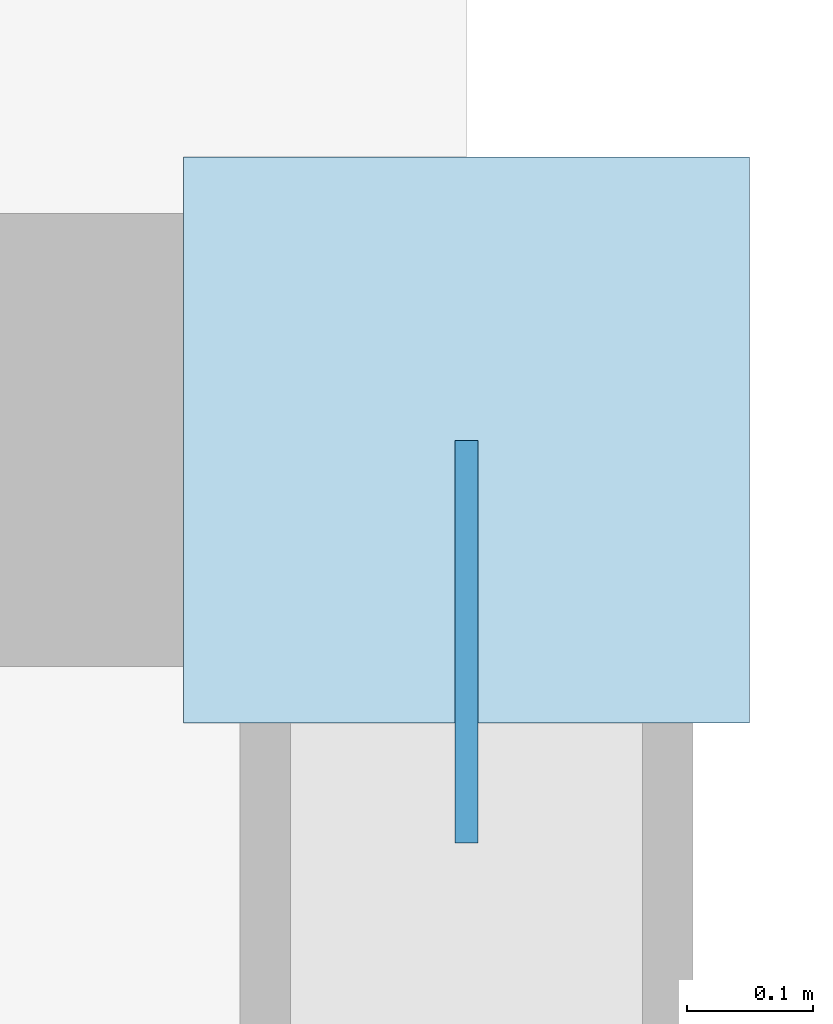
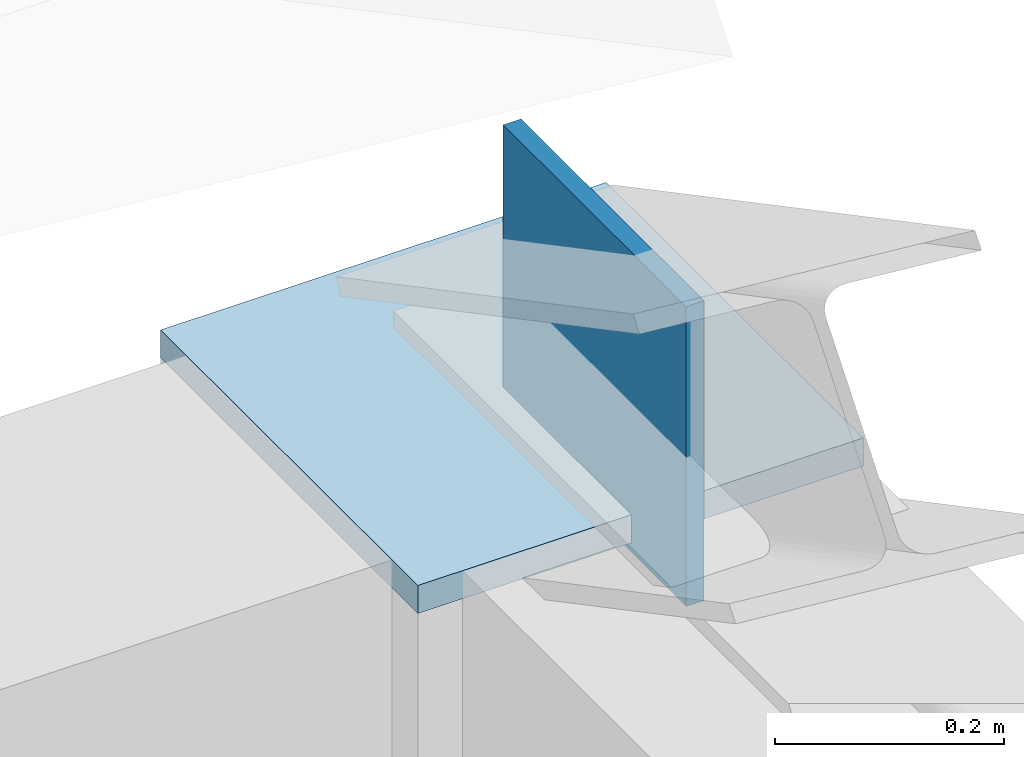
# One storey, part 41 of 56: 2 plates.
"""IFC4 building model written with IfcOpenShell, lengths in metres."""

from ifc_helpers import new_model, si_unit, direction, frame, origin, origin_2d, place, context, subcontext, project, spatial, rectangle, extrude, material, layer, layer_set, type_object, element, save


model = new_model("IFC4")

# Units and contexts
model_context = context("Model", 3, precision=1e-05, world=origin(), true_north=direction((0.0, 1.0)))
body_context = subcontext(model_context, "Body", "Model", "MODEL_VIEW")
ifc_project = project(units=[si_unit("LENGTHUNIT", "METRE"), si_unit("AREAUNIT", "SQUARE_METRE"), si_unit("VOLUMEUNIT", "CUBIC_METRE"), si_unit("PLANEANGLEUNIT", "RADIAN"), si_unit("MASSUNIT", "GRAM", prefix="KILO")], contexts=[model_context])

# Site, building, storey
site_placement = place(None, origin())
site = spatial("IfcSite", under=ifc_project, at=site_placement, CompositionType="ELEMENT")
building_placement = place(site_placement, origin())
building = spatial("IfcBuilding", under=site, at=building_placement, Name="Kveldsbrygga Polytechnic", CompositionType="ELEMENT")
storey_placement = place(building_placement, frame((0.0, 0.0, 18.02001953125)))
storey = spatial("IfcBuildingStorey", under=building, at=storey_placement, Name="L04", CompositionType="ELEMENT", Elevation=18.02001953125)

# Plates
ifc_material = material(Name="Steel S355", Category="steel")
ifc_layer_1 = layer(ifc_material, 0.030029296875)
ifc_layer_set_1 = layer_set([ifc_layer_1], Name="Steel S355")
plate_type_1 = type_object("IfcPlateType", Name="CAP-BEAR-450", PredefinedType="SHEET", material=ifc_layer_set_1)
plate_1_placement = place(storey_placement, frame((168.0, 117.60009765625, 3.75), z_axis=(0.0, 0.0, 1.0), x_axis=(1.0, 0.0, 0.0)))
element("IfcPlate", 1, at=plate_1_placement, inside=storey, type_object=plate_type_1, Name="Truss Bearing Plate V4N5-T06-B", PredefinedType="SHEET", context=body_context, shape_type="SweptSolid", body=[
    extrude(rectangle(XDim=0.449951171875, YDim=0.449951171875, at=origin_2d()), origin(), (0.0, 0.0, 1.0), 0.030029296875),
])
ifc_layer_2 = layer(ifc_material, 0.01806640625)
ifc_layer_set_2 = layer_set([ifc_layer_2], Name="Steel S355")
plate_type_2 = type_object("IfcPlateType", Name="GUS-BRACE-320", PredefinedType="SHEET", material=ifc_layer_set_2)
plate_2_placement = place(storey_placement, frame((168.0, 117.43994140625, 3.73974609375), z_axis=(0.0, 0.0, 1.0), x_axis=(1.0, 0.0, 0.0)))
element("IfcPlate", 2, at=plate_2_placement, inside=storey, type_object=plate_type_2, Name="Truss Eaves Node Gusset V4N5-T06-EGP-B", PredefinedType="SHEET", context=body_context, shape_type="SweptSolid", body=[
    extrude(rectangle(XDim=0.01806640625, YDim=0.320068359375, at=origin_2d()), origin(), (0.0, 0.0, 1.0), 0.320068359375),
])

save(model, "model.ifc")
